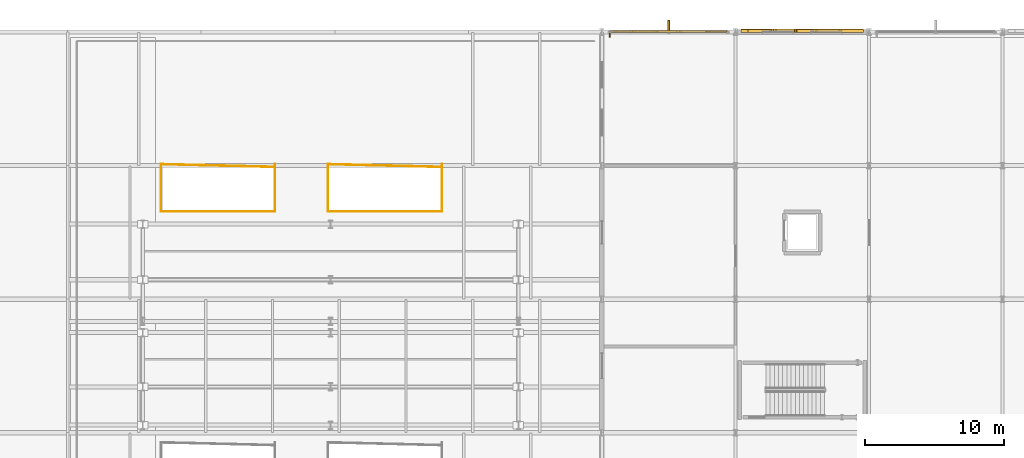
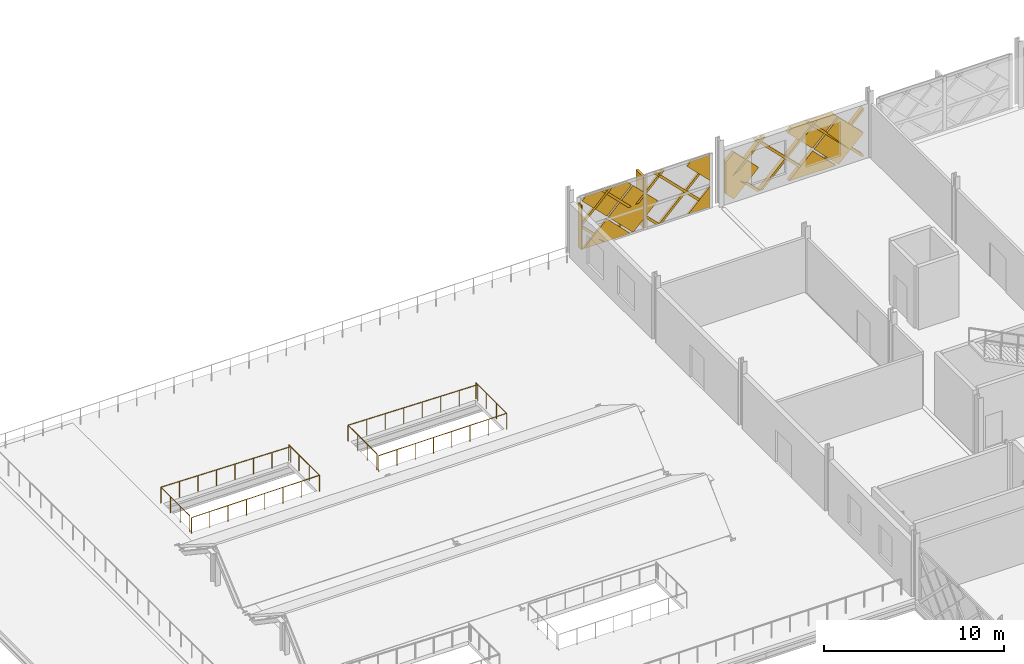
# One storey, part 89 of 101: 22 coverings, 4 railings, 1 shading device.
"""IFC4 building model written with IfcOpenShell, lengths in metres."""

from ifc_helpers import new_model, si_unit, direction, frame, origin, origin_2d, place, context, subcontext, project, spatial, polyline, rectangle, circle, outline, extrude, material, layer, layer_set, type_object, element, save


model = new_model("IFC4")

# Units and contexts
model_context = context("Model", 3, precision=1e-05, world=origin(), true_north=direction((0.0, 1.0)))
body_context = subcontext(model_context, "Body", "Model", "MODEL_VIEW")
ifc_project = project(units=[si_unit("LENGTHUNIT", "METRE"), si_unit("AREAUNIT", "SQUARE_METRE"), si_unit("VOLUMEUNIT", "CUBIC_METRE"), si_unit("PLANEANGLEUNIT", "RADIAN"), si_unit("MASSUNIT", "GRAM", prefix="KILO")], contexts=[model_context])

# Site, building, storey
site_placement = place(None, origin())
site = spatial("IfcSite", under=ifc_project, at=site_placement, CompositionType="ELEMENT")
building_placement = place(site_placement, origin())
building = spatial("IfcBuilding", under=site, at=building_placement, Name="Zevrakil Square Congress Hotel", CompositionType="ELEMENT")
storey_placement = place(building_placement, frame((0.0, 0.0, 5.39990234375)))
storey = spatial("IfcBuildingStorey", under=building, at=storey_placement, Name="L02", CompositionType="ELEMENT", Elevation=5.39990234375)

# Coverings
ifc_material_1 = material(Name="Architectural White Fibre-C GRC", Category="concrete")
ifc_layer_1 = layer(ifc_material_1, 0.06494140625)
ifc_layer_set_1 = layer_set([ifc_layer_1], Name="Architectural White Fibre-C GRC")
covering_type_1 = type_object("IfcCoveringType", Name="COV-DIA-WHITE", PredefinedType="CLADDING", material=ifc_layer_set_1)
covering_1_placement = place(storey_placement, frame((53.169921875, 112.89501953125, 0.080078125), z_axis=(0.0, 0.999999760125, 0.000692640526), x_axis=(1.0, 0.0, 0.0)))
element("IfcCovering", 1, at=covering_1_placement, inside=storey, type_object=covering_type_1, Name="L02 45-degree white GRC diamond facade cassette 590", PredefinedType="CLADDING", context=body_context, shape_type="SweptSolid", body=[
    extrude(outline(polyline([(0.0, 0.0), (1.41015625, 0.0), (1.41015625, -1.4099124475784226), (0.0, 0.0)])), origin(), (0.0, 0.0, -1.0), 0.1201171875),
])
covering_2_placement = place(storey_placement, frame((47.9599609375, 112.89404296875, 1.590087890625), z_axis=(0.0, 0.999999790873, 0.000646725815), x_axis=(-0.707106707249, 0.000457304257, -0.707106707249)))
element("IfcCovering", 2, at=covering_2_placement, inside=storey, type_object=covering_type_1, Name="L02 45-degree white GRC diamond facade cassette 591", PredefinedType="CLADDING", context=body_context, shape_type="SweptSolid", body=[
    extrude(outline(polyline([(0.0, 0.0), (2.1354765131557993, 0.0), (4.465861884739297e-07, -2.1354765131557527), (0.0, 0.0)])), origin(), (0.0, 0.0, -1.0), 0.1201171875),
])
covering_3_placement = place(storey_placement, frame((49.639892578125, 112.89306640625, 3.27001953125), z_axis=(0.0, 0.999999811377, 0.000614203339), x_axis=(-0.707106714488, 0.000434307387, -0.707106714509)))
element("IfcCovering", 3, at=covering_3_placement, inside=storey, type_object=covering_type_1, Name="L02 45-degree white GRC diamond facade cassette 592", PredefinedType="CLADDING", context=body_context, shape_type="SweptSolid", body=[
    extrude(outline(polyline([(0.0, 0.0), (2.2483788053845455, -2.220446049250313e-16), (2.2485518630206376, -2.24855143882716), (-0.00017220931434658304, -2.2485514388922905), (0.0, 0.0)])), origin(), (0.0, 0.0, -1.0), 0.1201171875),
])
covering_4_placement = place(storey_placement, frame((53.090087890625, 112.89306640625, 3.360107421875), z_axis=(6.3815884e-05, 0.999999812703, 0.000608705356), x_axis=(0.707106741381, 0.000385295076, -0.707106716021)))
element("IfcCovering", 4, at=covering_4_placement, inside=storey, type_object=covering_type_1, Name="L02 45-degree white GRC diamond facade cassette 593", PredefinedType="CLADDING", context=body_context, shape_type="SweptSolid", body=[
    extrude(outline(polyline([(0.0, 0.0), (2.1071645230484313, 0.0), (0.8804306692339328, -1.2267337135237), (-8.785623831220057e-08, -0.3463028608930553), (0.0, 0.0)])), origin(), (0.0, 0.0, -1.0), 0.1201171875),
])
covering_5_placement = place(storey_placement, frame((46.3701171875, 112.89306640625, 3.360107421875), z_axis=(0.0, 0.999999832179, 0.000579346068), x_axis=(0.707052455657, 0.000409691004, -0.707160983866)))
element("IfcCovering", 5, at=covering_5_placement, inside=storey, type_object=covering_type_1, Name="L02 45-degree white GRC diamond facade cassette 594", PredefinedType="CLADDING", context=body_context, shape_type="SweptSolid", body=[
    extrude(outline(polyline([(0.0, 0.0), (2.2485513447832775, -2.220446049250313e-16), (2.248378475325489, -2.2487239649946003), (1.901903001207207, -2.248524784497797), (-2.6675655460328684e-05, -0.346302853878948), (0.0, 0.0)])), origin(), (0.0, 0.0, -1.0), 0.1201171875),
])
covering_6_placement = place(storey_placement, frame((61.139892578125, 112.9990234375, 1.590087890625), z_axis=(0.0, 0.999999790873, 0.000646725815), x_axis=(-0.707106707249, 0.000457304257, -0.707106707249)))
element("IfcCovering", 6, at=covering_6_placement, inside=storey, type_object=covering_type_1, Name="L02 45-degree white GRC diamond facade cassette 613", PredefinedType="CLADDING", context=body_context, shape_type="SweptSolid", body=[
    extrude(outline(polyline([(0.0, 0.0), (2.1354765131557993, 0.0), (4.465861884739297e-07, -2.1354765131557527), (0.0, 0.0)])), origin(), (0.0, 0.0, -1.0), 0.239990234375),
])
covering_7_placement = place(storey_placement, frame((62.820068359375, 112.998046875, 3.27001953125), z_axis=(0.0, 0.999999812555, 0.000612282237), x_axis=(-0.707161000838, 0.000432915721, -0.707052424844)))
element("IfcCovering", 7, at=covering_7_placement, inside=storey, type_object=covering_type_1, Name="L02 45-degree white GRC diamond facade cassette 614", PredefinedType="CLADDING", context=body_context, shape_type="SweptSolid", body=[
    extrude(outline(polyline([(0.0, 0.0), (2.2485514454845923, 0.0), (2.248379222880032, -2.2487240657380214), (0.013983748838055643, -2.248379882955194), (-0.0001711092764935529, -2.234222853853795), (0.0, 0.0)])), origin(), (0.0, 0.0, -1.0), 0.239990234375),
])
covering_8_placement = place(storey_placement, frame((56.10009765625, 113.0, 0.090087890625), z_axis=(-8.4612019e-05, 0.999999812462, 0.000606562075), x_axis=(0.707052419977, -0.000369112006, 0.707161041885)))
element("IfcCovering", 8, at=covering_8_placement, inside=storey, type_object=covering_type_1, Name="L02 45-degree white GRC diamond facade cassette 615", PredefinedType="CLADDING", context=body_context, shape_type="SweptSolid", body=[
    extrude(outline(polyline([(0.0, 0.0), (2.2485514407081038, 0.0), (2.248724493030647, -2.2483787953987875), (1.5416176719840167, -2.248433114590079), (5.449118448824786e-05, -0.7071069332764888), (0.0, 0.0)])), origin(), (0.0, 0.0, -1.0), 0.239990234375),
])
covering_9_placement = place(storey_placement, frame((59.550048828125, 112.998046875, 3.360107421875), z_axis=(0.0, 0.999999832177, 0.000579349913), x_axis=(0.707052455657, 0.000409693723, -0.707160983864)))
element("IfcCovering", 9, at=covering_9_placement, inside=storey, type_object=covering_type_1, Name="L02 45-degree white GRC diamond facade cassette 616", PredefinedType="CLADDING", context=body_context, shape_type="SweptSolid", body=[
    extrude(outline(polyline([(0.0, 0.0), (2.248551344782764, 0.0), (2.248378475326002, -2.248723964994087), (1.9020756214358738, -2.248697431251191), (-2.6675655659363917e-05, -0.34630285387922605), (0.0, 0.0)])), origin(), (0.0, 0.0, -1.0), 0.239990234375),
])
ifc_material_2 = material(Name="Anodised Champagne Aluminium", Category="aluminium")
ifc_layer_2 = layer(ifc_material_2, 0.0849609375)
ifc_layer_set_2 = layer_set([ifc_layer_2], Name="Anodised Champagne Aluminium")
covering_type_2 = type_object("IfcCoveringType", Name="COV-DIAGRID-45", PredefinedType="MOLDING", material=ifc_layer_set_2)
covering_10_placement = place(storey_placement, frame((54.493896484375, 112.919921875, 0.080078125), z_axis=(-0.000187311957, 0.999999884449, 0.000442737353), x_axis=(0.999999982457, 0.000187311939, 8.293e-08)))
element("IfcCovering", 10, at=covering_10_placement, inside=storey, type_object=covering_type_2, Name="L02 45-degree aluminium diagrid rib 595", PredefinedType="MOLDING", context=body_context, shape_type="SweptSolid", body=[
    extrude(outline(polyline([(0.0, 0.0), (0.0861816391131254, 2.2812090330563966e-24), (0.08618164958060848, -0.12622069075433734), (-3.312744201763839, -3.524902971092284), (-3.5249024011669716, -3.524902971092284), (0.0, 0.0)])), origin(), (0.0, 0.0, -1.0), 0.14501953125),
])
covering_11_placement = place(storey_placement, frame((51.1337890625, 112.919921875, 0.080078125), z_axis=(0.0, 0.999999805714, 0.000623354914), x_axis=(1.0, 0.0, 0.0)))
element("IfcCovering", 11, at=covering_11_placement, inside=storey, type_object=covering_type_2, Name="L02 45-degree aluminium diagrid rib 596", PredefinedType="MOLDING", context=body_context, shape_type="SweptSolid", body=[
    extrude(outline(polyline([(0.0, 0.0), (0.21240234375, 0.0), (-3.312744140625, -3.524903028588229), (-3.52490234375, -3.524903028588229), (0.0, 0.0)])), origin(), (0.0, 0.0, -1.0), 0.14501953125),
])
covering_12_placement = place(storey_placement, frame((47.77392578125, 112.919921875, 0.080078125), z_axis=(-0.000294139249, 0.999999913482, 0.000294139249), x_axis=(0.999999956741, 0.000294139237, 8.6518e-08)))
element("IfcCovering", 12, at=covering_12_placement, inside=storey, type_object=covering_type_2, Name="L02 45-degree aluminium diagrid rib 597", PredefinedType="MOLDING", context=body_context, shape_type="SweptSolid", body=[
    extrude(outline(polyline([(0.0, 0.0), (0.2121581939472589, 0.0), (-1.553955145347468, -1.7661134920951609), (-1.5539551637029505, -1.5539552981479028), (0.0, 0.0)])), origin(), (0.0, 0.0, -1.0), 0.14501953125),
])
covering_13_placement = place(storey_placement, frame((54.580078125, 112.918212890625, 3.154052734375), z_axis=(-0.000287477056, 0.99999958606, 0.000863270454), x_axis=(-8.2643e-08, -0.000863270513, 0.999999627382)))
element("IfcCovering", 13, at=covering_13_placement, inside=storey, type_object=covering_type_2, Name="L02 45-degree aluminium diagrid rib 598", PredefinedType="MOLDING", context=body_context, shape_type="SweptSolid", body=[
    extrude(outline(polyline([(0.0, 0.0), (0.21215833483042407, 1.3234889800848443e-23), (-3.0739746676964605, -3.286133202330571), (-3.073974685229852, -3.0739750079722734), (0.0, 0.0)])), origin(), (0.0, 0.0, -1.0), 0.14501953125),
])
covering_14_placement = place(storey_placement, frame((51.671142578125, 112.917724609375, 3.60498046875), z_axis=(0.0, 0.999999805714, 0.000623354914), x_axis=(-1.0, 0.0, 0.0)))
element("IfcCovering", 14, at=covering_14_placement, inside=storey, type_object=covering_type_2, Name="L02 45-degree aluminium diagrid rib 599", PredefinedType="MOLDING", context=body_context, shape_type="SweptSolid", body=[
    extrude(outline(polyline([(0.0, 0.0), (0.212158203125, 0.0), (3.7373046875, -3.5249030285882292), (3.525146484375, -3.5249030285882292), (0.0, 0.0)])), origin(), (0.0, 0.0, -1.0), 0.14501953125),
])
covering_15_placement = place(storey_placement, frame((48.31103515625, 112.917724609375, 3.60498046875), z_axis=(-0.000236587851, 0.999999555129, 0.000913108865), x_axis=(-0.999999972013, -0.000236587752, -2.1603e-07)))
element("IfcCovering", 15, at=covering_15_placement, inside=storey, type_object=covering_type_2, Name="L02 45-degree aluminium diagrid rib 600", PredefinedType="MOLDING", context=body_context, shape_type="SweptSolid", body=[
    extrude(outline(polyline([(0.0, 0.0), (0.21215819718734832, -5.6157808774107894e-24), (2.091064511647426, -1.878662440825683), (2.091064499772122, -2.0910649189555177), (0.0, 0.0)])), origin(), (0.0, 0.0, -1.0), 0.14501953125),
])
covering_16_placement = place(storey_placement, frame((64.31396484375, 113.02490234375, 0.080078125), z_axis=(-0.000187315855, 0.999999884444, 0.000442746567), x_axis=(0.999999982456, 0.000187315837, 8.2933e-08)))
element("IfcCovering", 16, at=covering_16_placement, inside=storey, type_object=covering_type_2, Name="L02 45-degree aluminium diagrid rib 617", PredefinedType="MOLDING", context=body_context, shape_type="SweptSolid", body=[
    extrude(outline(polyline([(0.0, 0.0), (0.08593749849234558, 2.274746684520826e-24), (0.08593750896026438, -0.12622069075382242), (-3.312744201757818, -3.5249029710981508), (-3.525146541781513, -3.5249029710981508), (0.0, 0.0)])), origin(), (0.0, 0.0, -1.0), 0.264892578125),
])
covering_17_placement = place(storey_placement, frame((60.953857421875, 113.02490234375, 0.080078125), z_axis=(0.0, 0.999999805714, 0.000623354914), x_axis=(1.0, 0.0, 0.0)))
element("IfcCovering", 17, at=covering_17_placement, inside=storey, type_object=covering_type_2, Name="L02 45-degree aluminium diagrid rib 618", PredefinedType="MOLDING", context=body_context, shape_type="SweptSolid", body=[
    extrude(outline(polyline([(0.0, 0.0), (0.212158203125, 0.0), (-3.312744140625, -3.5249030285882292), (-3.52490234375, -3.5249030285882292), (0.0, 0.0)])), origin(), (0.0, 0.0, -1.0), 0.264892578125),
])
covering_18_placement = place(storey_placement, frame((57.593994140625, 113.02490234375, 0.080078125), z_axis=(-0.000290646956, 0.999999915524, 0.000290646956), x_axis=(0.999999957762, 0.000290646943, 8.4476e-08)))
element("IfcCovering", 18, at=covering_18_placement, inside=storey, type_object=covering_type_2, Name="L02 45-degree aluminium diagrid rib 619", PredefinedType="MOLDING", context=body_context, shape_type="SweptSolid", body=[
    extrude(outline(polyline([(0.0, 0.0), (0.21215819416389847, -2.8078904387053947e-24), (-1.9938965685928591, -2.2060549491146975), (-1.9938965865150626, -1.9938967549507998), (0.0, 0.0)])), origin(), (0.0, 0.0, -1.0), 0.264892578125),
])
covering_19_placement = place(storey_placement, frame((64.39990234375, 113.023193359375, 3.154052734375), z_axis=(-0.000287488092, 0.999999586067, 0.000863259418), x_axis=(-8.2649e-08, -0.000863259477, 0.999999627391)))
element("IfcCovering", 19, at=covering_19_placement, inside=storey, type_object=covering_type_2, Name="L02 45-degree aluminium diagrid rib 620", PredefinedType="MOLDING", context=body_context, shape_type="SweptSolid", body=[
    extrude(outline(polyline([(0.0, 0.0), (0.212158334829751, 1.3234889800848443e-23), (-3.0739746677062127, -3.2858890617254115), (-3.073974685240951, -3.0737308673677872), (0.0, 0.0)])), origin(), (0.0, 0.0, -1.0), 0.264892578125),
])
covering_20_placement = place(storey_placement, frame((61.4912109375, 113.022705078125, 3.60498046875), z_axis=(0.0, 0.999999805714, 0.000623354914), x_axis=(-1.0, 0.0, 0.0)))
element("IfcCovering", 20, at=covering_20_placement, inside=storey, type_object=covering_type_2, Name="L02 45-degree aluminium diagrid rib 621", PredefinedType="MOLDING", context=body_context, shape_type="SweptSolid", body=[
    extrude(outline(polyline([(0.0, 0.0), (0.21240234375, 0.0), (3.7373046875, -3.524903028588229), (3.525146484375, -3.524903028588229), (0.0, 0.0)])), origin(), (0.0, 0.0, -1.0), 0.264892578125),
])
covering_21_placement = place(storey_placement, frame((58.131103515625, 113.022705078125, 3.60498046875), z_axis=(-0.000248165226, 0.99999956188, 0.000902582256), x_axis=(-0.999999969207, -0.000248165125, -2.2399e-07)))
element("IfcCovering", 21, at=covering_21_placement, inside=storey, type_object=covering_type_2, Name="L02 45-degree aluminium diagrid rib 622", PredefinedType="MOLDING", context=body_context, shape_type="SweptSolid", body=[
    extrude(outline(polyline([(0.0, 0.0), (0.21215819659201454, 0.0), (2.531005937312241, -2.318848033861662), (2.53100592424627, -2.5310063709258004), (0.0, 0.0)])), origin(), (0.0, 0.0, -1.0), 0.264892578125),
])
ifc_material_3 = material(Name="Architectural White Fibre-C GRC", Category="concrete")
ifc_layer_3 = layer(ifc_material_3, 0.139892578125)
ifc_layer_set_3 = layer_set([ifc_layer_3], Name="Architectural White Fibre-C GRC")
covering_type_3 = type_object("IfcCoveringType", Name="COV-FIN-GRC90", PredefinedType="MOLDING", material=ifc_layer_set_3)
covering_22_placement = place(storey_placement, frame((50.39990234375, 113.219970703125, 0.1201171875), z_axis=(0.0, 0.0, 1.0), x_axis=(0.0, 1.0, 0.0)))
element("IfcCovering", 22, at=covering_22_placement, inside=storey, type_object=covering_type_3, Name="L02 highland sun-breaker GRC fin 601", PredefinedType="MOLDING", context=body_context, shape_type="SweptSolid", body=[
    extrude(rectangle(XDim=0.89990234375, YDim=0.139892578125, at=origin_2d()), origin(), (0.0, 0.0, 1.0), 3.445068359375),
])

# Railings
ifc_material_4 = material(Name="Steel S355", Category="steel")
railing_type = type_object("IfcRailingType", Name="RLG-TERR-1100", PredefinedType="BALUSTRADE", material=ifc_material_4)
railing_1_placement = place(storey_placement, frame((13.89990234375, 99.89990234375, 0.0)))
element("IfcRailing", 23, at=railing_1_placement, inside=storey, type_object=railing_type, Name="L02 terrace and void safety balustrade guard 7", PredefinedType="BALUSTRADE", context=body_context, shape_type="SweptSolid", body=[
    extrude(circle(Radius=0.02392578125, at=origin_2d()), frame((0.0, 0.0, 1.076171875), z_axis=(1.0, 0.0, 0.0), x_axis=(0.0, 1.0, 0.0)), (0.0, 0.0, 1.0), 8.2001953125),
    extrude(circle(Radius=0.02392578125, at=origin_2d()), frame((8.2001953125, 0.0, 1.076171875), z_axis=(0.0, 1.0, 0.0), x_axis=(-1.0, 0.0, 0.0)), (0.0, 0.0, 1.0), 3.400146484375),
    extrude(circle(Radius=0.02099609375, at=origin_2d()), origin(), (0.0, 0.0, 1.0), 1.052001953125),
    extrude(circle(Radius=0.02099609375, at=origin_2d()), frame((1.17138671875, 0.0, 0.0)), (0.0, 0.0, 1.0), 1.052001953125),
    extrude(circle(Radius=0.02099609375, at=origin_2d()), frame((2.343017578125, 0.0, 0.0)), (0.0, 0.0, 1.0), 1.052001953125),
    extrude(circle(Radius=0.02099609375, at=origin_2d()), frame((3.514404296875, 0.0, 0.0)), (0.0, 0.0, 1.0), 1.052001953125),
    extrude(circle(Radius=0.02099609375, at=origin_2d()), frame((4.685791015625, 0.0, 0.0)), (0.0, 0.0, 1.0), 1.052001953125),
    extrude(circle(Radius=0.02099609375, at=origin_2d()), frame((5.857177734375, 0.0, 0.0)), (0.0, 0.0, 1.0), 1.052001953125),
    extrude(circle(Radius=0.02099609375, at=origin_2d()), frame((7.02880859375, 0.0, 0.0)), (0.0, 0.0, 1.0), 1.052001953125),
    extrude(circle(Radius=0.02099609375, at=origin_2d()), frame((8.2001953125, 0.0, 0.0)), (0.0, 0.0, 1.0), 1.052001953125),
    extrude(circle(Radius=0.02099609375, at=origin_2d()), frame((8.2001953125, 1.13330078125, 0.0)), (0.0, 0.0, 1.0), 1.052001953125),
    extrude(circle(Radius=0.02099609375, at=origin_2d()), frame((8.2001953125, 2.266845703125, 0.0)), (0.0, 0.0, 1.0), 1.052001953125),
    extrude(circle(Radius=0.02099609375, at=origin_2d()), frame((8.2001953125, 3.400146484375, 0.0)), (0.0, 0.0, 1.0), 1.052001953125),
])
railing_2_placement = place(storey_placement, frame((22.10009765625, 103.10009765625, 0.0)))
element("IfcRailing", 24, at=railing_2_placement, inside=storey, type_object=railing_type, Name="L02 terrace and void safety balustrade guard 8", PredefinedType="BALUSTRADE", context=body_context, shape_type="SweptSolid", body=[
    extrude(circle(Radius=0.02392578125, at=origin_2d()), frame((0.0, 0.0, 1.076171875), z_axis=(-0.99970284988, 0.024376462845, 0.0), x_axis=(-0.024376462845, -0.99970284988, 0.0)), (0.0, 0.0, 1.0), 8.20263671875),
    extrude(circle(Radius=0.02392578125, at=origin_2d()), frame((-8.2001953125, 0.199951171875, 1.076171875), z_axis=(0.0, -1.0, 0.0), x_axis=(1.0, 0.0, 0.0)), (0.0, 0.0, 1.0), 3.199951171875),
    extrude(circle(Radius=0.02099609375, at=origin_2d()), origin(), (0.0, 0.0, 1.0), 1.052001953125),
    extrude(circle(Radius=0.02099609375, at=origin_2d()), frame((-1.17138671875, 0.028564453125, 0.0)), (0.0, 0.0, 1.0), 1.052001953125),
    extrude(circle(Radius=0.02099609375, at=origin_2d()), frame((-2.343017578125, 0.05712890625, 0.0)), (0.0, 0.0, 1.0), 1.052001953125),
    extrude(circle(Radius=0.02099609375, at=origin_2d()), frame((-3.514404296875, 0.085693359375, 0.0)), (0.0, 0.0, 1.0), 1.052001953125),
    extrude(circle(Radius=0.02099609375, at=origin_2d()), frame((-4.685791015625, 0.1142578125, 0.0)), (0.0, 0.0, 1.0), 1.052001953125),
    extrude(circle(Radius=0.02099609375, at=origin_2d()), frame((-5.857177734375, 0.142822265625, 0.0)), (0.0, 0.0, 1.0), 1.052001953125),
    extrude(circle(Radius=0.02099609375, at=origin_2d()), frame((-7.02880859375, 0.17138671875, 0.0)), (0.0, 0.0, 1.0), 1.052001953125),
    extrude(circle(Radius=0.02099609375, at=origin_2d()), frame((-8.2001953125, 0.199951171875, 0.0)), (0.0, 0.0, 1.0), 1.052001953125),
    extrude(circle(Radius=0.02099609375, at=origin_2d()), frame((-8.2001953125, -0.86669921875, 0.0)), (0.0, 0.0, 1.0), 1.052001953125),
    extrude(circle(Radius=0.02099609375, at=origin_2d()), frame((-8.2001953125, -1.933349609375, 0.0)), (0.0, 0.0, 1.0), 1.052001953125),
    extrude(circle(Radius=0.02099609375, at=origin_2d()), frame((-8.2001953125, -3.0, 0.0)), (0.0, 0.0, 1.0), 1.052001953125),
])
railing_3_placement = place(storey_placement, frame((25.89990234375, 99.89990234375, 0.0)))
element("IfcRailing", 25, at=railing_3_placement, inside=storey, type_object=railing_type, Name="L02 terrace and void safety balustrade guard 9", PredefinedType="BALUSTRADE", context=body_context, shape_type="SweptSolid", body=[
    extrude(circle(Radius=0.02392578125, at=origin_2d()), frame((0.0, 0.0, 1.076171875), z_axis=(1.0, 0.0, 0.0), x_axis=(0.0, 1.0, 0.0)), (0.0, 0.0, 1.0), 8.2001953125),
    extrude(circle(Radius=0.02392578125, at=origin_2d()), frame((8.2001953125, 0.0, 1.076171875), z_axis=(0.0, 1.0, 0.0), x_axis=(-1.0, 0.0, 0.0)), (0.0, 0.0, 1.0), 3.400146484375),
    extrude(circle(Radius=0.02099609375, at=origin_2d()), origin(), (0.0, 0.0, 1.0), 1.052001953125),
    extrude(circle(Radius=0.02099609375, at=origin_2d()), frame((1.17138671875, 0.0, 0.0)), (0.0, 0.0, 1.0), 1.052001953125),
    extrude(circle(Radius=0.02099609375, at=origin_2d()), frame((2.343017578125, 0.0, 0.0)), (0.0, 0.0, 1.0), 1.052001953125),
    extrude(circle(Radius=0.02099609375, at=origin_2d()), frame((3.514404296875, 0.0, 0.0)), (0.0, 0.0, 1.0), 1.052001953125),
    extrude(circle(Radius=0.02099609375, at=origin_2d()), frame((4.685791015625, 0.0, 0.0)), (0.0, 0.0, 1.0), 1.052001953125),
    extrude(circle(Radius=0.02099609375, at=origin_2d()), frame((5.857177734375, 0.0, 0.0)), (0.0, 0.0, 1.0), 1.052001953125),
    extrude(circle(Radius=0.02099609375, at=origin_2d()), frame((7.02880859375, 0.0, 0.0)), (0.0, 0.0, 1.0), 1.052001953125),
    extrude(circle(Radius=0.02099609375, at=origin_2d()), frame((8.2001953125, 0.0, 0.0)), (0.0, 0.0, 1.0), 1.052001953125),
    extrude(circle(Radius=0.02099609375, at=origin_2d()), frame((8.2001953125, 1.13330078125, 0.0)), (0.0, 0.0, 1.0), 1.052001953125),
    extrude(circle(Radius=0.02099609375, at=origin_2d()), frame((8.2001953125, 2.266845703125, 0.0)), (0.0, 0.0, 1.0), 1.052001953125),
    extrude(circle(Radius=0.02099609375, at=origin_2d()), frame((8.2001953125, 3.400146484375, 0.0)), (0.0, 0.0, 1.0), 1.052001953125),
])
railing_4_placement = place(storey_placement, frame((34.10009765625, 103.10009765625, 0.0)))
element("IfcRailing", 26, at=railing_4_placement, inside=storey, type_object=railing_type, Name="L02 terrace and void safety balustrade guard 10", PredefinedType="BALUSTRADE", context=body_context, shape_type="SweptSolid", body=[
    extrude(circle(Radius=0.02392578125, at=origin_2d()), frame((0.0, 0.0, 1.076171875), z_axis=(-0.99970284988, 0.024376462845, 0.0), x_axis=(-0.024376462845, -0.99970284988, 0.0)), (0.0, 0.0, 1.0), 8.20263671875),
    extrude(circle(Radius=0.02392578125, at=origin_2d()), frame((-8.2001953125, 0.199951171875, 1.076171875), z_axis=(0.0, -1.0, 0.0), x_axis=(1.0, 0.0, 0.0)), (0.0, 0.0, 1.0), 3.199951171875),
    extrude(circle(Radius=0.02099609375, at=origin_2d()), origin(), (0.0, 0.0, 1.0), 1.052001953125),
    extrude(circle(Radius=0.02099609375, at=origin_2d()), frame((-1.17138671875, 0.028564453125, 0.0)), (0.0, 0.0, 1.0), 1.052001953125),
    extrude(circle(Radius=0.02099609375, at=origin_2d()), frame((-2.343017578125, 0.05712890625, 0.0)), (0.0, 0.0, 1.0), 1.052001953125),
    extrude(circle(Radius=0.02099609375, at=origin_2d()), frame((-3.514404296875, 0.085693359375, 0.0)), (0.0, 0.0, 1.0), 1.052001953125),
    extrude(circle(Radius=0.02099609375, at=origin_2d()), frame((-4.685791015625, 0.1142578125, 0.0)), (0.0, 0.0, 1.0), 1.052001953125),
    extrude(circle(Radius=0.02099609375, at=origin_2d()), frame((-5.857177734375, 0.142822265625, 0.0)), (0.0, 0.0, 1.0), 1.052001953125),
    extrude(circle(Radius=0.02099609375, at=origin_2d()), frame((-7.02880859375, 0.17138671875, 0.0)), (0.0, 0.0, 1.0), 1.052001953125),
    extrude(circle(Radius=0.02099609375, at=origin_2d()), frame((-8.2001953125, 0.199951171875, 0.0)), (0.0, 0.0, 1.0), 1.052001953125),
    extrude(circle(Radius=0.02099609375, at=origin_2d()), frame((-8.2001953125, -0.86669921875, 0.0)), (0.0, 0.0, 1.0), 1.052001953125),
    extrude(circle(Radius=0.02099609375, at=origin_2d()), frame((-8.2001953125, -1.933349609375, 0.0)), (0.0, 0.0, 1.0), 1.052001953125),
    extrude(circle(Radius=0.02099609375, at=origin_2d()), frame((-8.2001953125, -3.0, 0.0)), (0.0, 0.0, 1.0), 1.052001953125),
])

# Shading device
ifc_material_5 = material(Name="Aluminium Anodised Bronze", Category="aluminium")
shading_device_type = type_object("IfcShadingDeviceType", Name="SHD-FIN-35", PredefinedType="JALOUSIE", material=ifc_material_5)
shading_device_placement = place(storey_placement, frame((46.159912109375, 112.60498046875, 0.342529296875), z_axis=(0.0, 0.0, 1.0), x_axis=(0.0, -1.0, 0.0)))
element("IfcShadingDevice", 27, at=shading_device_placement, inside=storey, type_object=shading_device_type, Name="L02 aluminium solar shading fin 37", PredefinedType="JALOUSIE", context=body_context, shape_type="SweptSolid", body=[
    extrude(rectangle(XDim=0.35009765625, YDim=0.080078125, at=origin_2d()), origin(), (0.0, 0.0, 1.0), 3.0),
])

save(model, "model.ifc")
